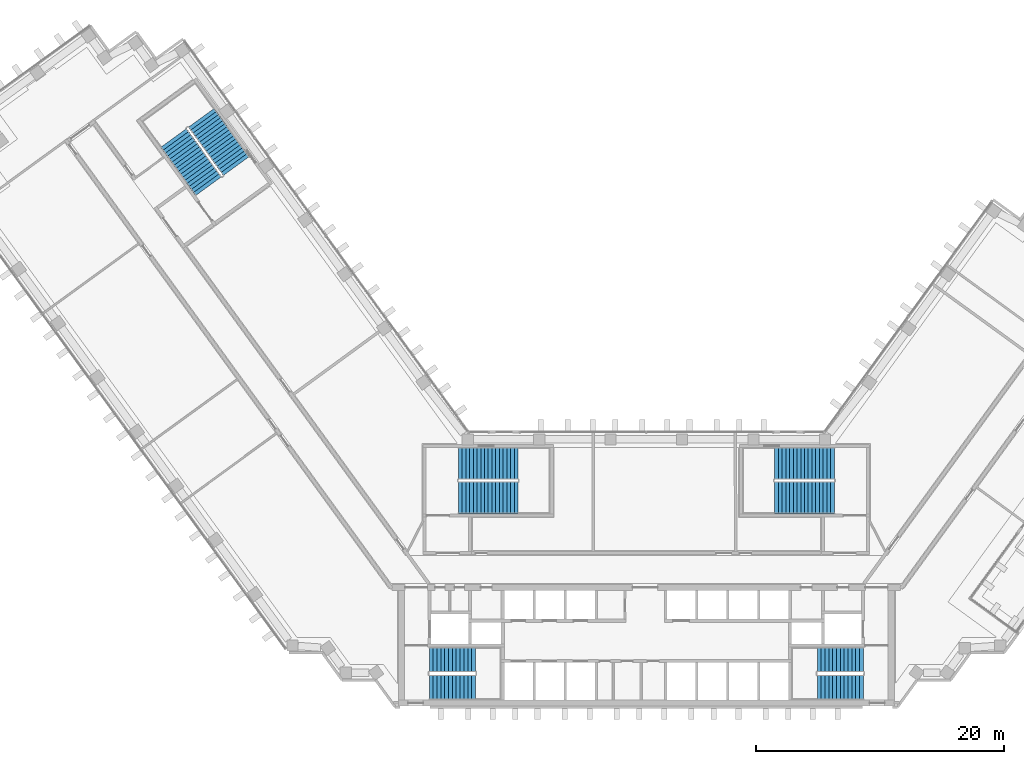
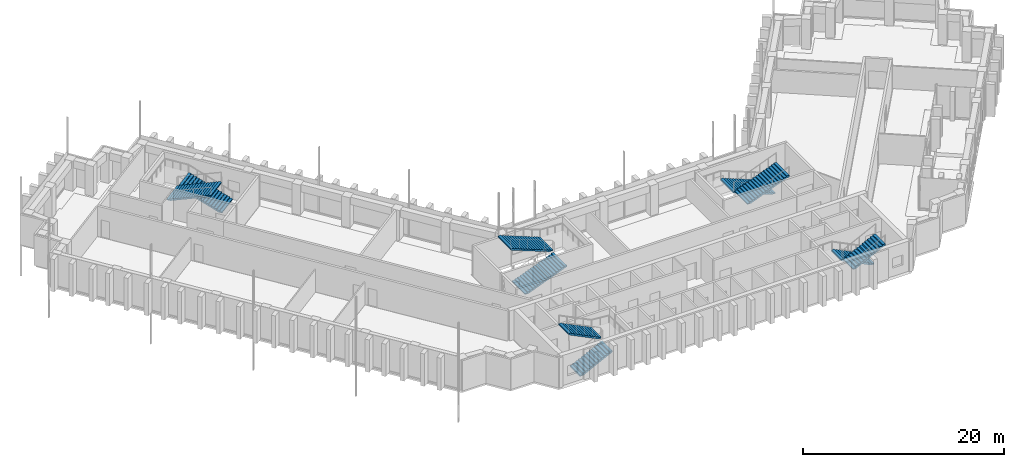
# One storey, part 14 of 17: 10 stair flights, 5 elements without a shape of their own.
"""IFC4 building model written with IfcOpenShell, lengths in metres."""

import ifcopenshell
import ifcopenshell.guid

model = None  # the IFC model being written
_history = None  # IfcOwnerHistory: only IFC2X3 demands one
_inside = {}  # id of a spatial element -> (the spatial element, [elements in it])
_under = {}  # id of a project, library or spatial element -> (it, [spatial elements below it])
_declared = {}  # id of a project -> (the project, [libraries it declares])
_typed = {}  # id of a type object -> (the type object, [elements of that type])
_made_of = {}  # id of a material, layer set ... -> (it, [elements and type objects made of it])


def new_model(schema):
    """Start an empty IFC model of exactly this schema.

    Asked for "IFC4X3", IfcOpenShell would pick the latest addendum, in which some entities
    have other attributes; the version numbers below select the first issue.
    IFC2X3 requires an IfcOwnerHistory on every rooted entity: one is made here for all.
    """
    global model, _history
    if schema == "IFC4X3":
        model = ifcopenshell.file(schema_version=(4, 3, 0, 0))
    else:
        model = ifcopenshell.file(schema=schema)
    _inside.clear()
    _under.clear()
    _declared.clear()
    _typed.clear()
    _made_of.clear()
    _history = None
    if model.schema == "IFC2X3":
        org = make("IfcOrganization", Name="unknown")
        user = make(
            "IfcPersonAndOrganization",
            ThePerson=make("IfcPerson", FamilyName="unknown"),
            TheOrganization=org,
        )
        app = make(
            "IfcApplication",
            ApplicationDeveloper=org,
            Version="unknown",
            ApplicationFullName="unknown",
            ApplicationIdentifier="unknown",
        )
        _history = make(
            "IfcOwnerHistory",
            OwningUser=user,
            OwningApplication=app,
            ChangeAction="ADDED",
            CreationDate=0,
        )
    return model


def make(cls, **values):
    """One entity of the class cls with the attributes given. An attribute that is None is left unset."""
    return model.create_entity(
        cls, **{name: value for name, value in values.items() if value is not None}
    )


def rooted(cls, **values):
    """An entity with a GlobalId (a new one), such as an element, a storey or a relation."""
    return make(cls, GlobalId=ifcopenshell.guid.new(), OwnerHistory=_history, **values)


def si_unit(unit_type, name, prefix=None):
    """IfcSIUnit, for example si_unit("LENGTHUNIT", "METRE", prefix="MILLI")."""
    return make("IfcSIUnit", UnitType=unit_type, Prefix=prefix, Name=name)


def assignment(units):
    """IfcUnitAssignment: the units of a project."""
    return None if units is None else make("IfcUnitAssignment", Units=units)


def point(xyz):
    """IfcCartesianPoint."""
    return None if xyz is None else make("IfcCartesianPoint", Coordinates=xyz)


def direction(xyz):
    """IfcDirection."""
    return None if xyz is None else make("IfcDirection", DirectionRatios=xyz)


def frame(location, z_axis=None, x_axis=None):
    """IfcAxis2Placement3D, a coordinate frame: its origin and axes. An axis left out is left unset."""
    return make(
        "IfcAxis2Placement3D",
        Location=point(location),
        Axis=direction(z_axis),
        RefDirection=direction(x_axis),
    )


def origin():
    """The frame at (0, 0, 0) with its axes left unset."""
    return frame((0.0, 0.0, 0.0))


def place(relative_to, where):
    """IfcLocalPlacement: puts the frame where relative to a parent placement (None: the world)."""
    return make(
        "IfcLocalPlacement", PlacementRelTo=relative_to, RelativePlacement=where
    )


def context(
    kind, dimensions, precision=None, world=None, true_north=None, identifier=None
):
    """IfcGeometricRepresentationContext, for example the 3D "Model" context."""
    return make(
        "IfcGeometricRepresentationContext",
        ContextIdentifier=identifier,
        ContextType=kind,
        CoordinateSpaceDimension=dimensions,
        Precision=precision,
        WorldCoordinateSystem=world,
        TrueNorth=true_north,
    )


def subcontext(parent, identifier, kind, view, scale=None):
    """IfcGeometricRepresentationSubContext, for example "Body" below "Model"."""
    return make(
        "IfcGeometricRepresentationSubContext",
        ContextIdentifier=identifier,
        ContextType=kind,
        ParentContext=parent,
        TargetScale=scale,
        TargetView=view,
    )


def project(units=None, contexts=None):
    """IfcProject with its units and contexts."""
    return rooted(
        "IfcProject",
        Name="project",
        RepresentationContexts=contexts,
        UnitsInContext=assignment(units),
    )


def spatial(cls, under=None, at=None, **own):
    """A site, building, storey or space (cls), placed at a placement, below another one or the project."""
    s = rooted(cls, ObjectPlacement=at, **own)
    if under is not None:
        _under.setdefault(under.id(), (under, []))[1].append(s)
    return s


def polyline(points):
    """IfcPolyline through the points."""
    return make("IfcPolyline", Points=[point(p) for p in points])


def outline(outer, holes=None, kind="AREA"):
    """IfcArbitraryClosedProfileDef: a profile drawn as a closed curve; with holes, ...WithVoids."""
    if holes is None:
        return make("IfcArbitraryClosedProfileDef", ProfileType=kind, OuterCurve=outer)
    return make(
        "IfcArbitraryProfileDefWithVoids",
        ProfileType=kind,
        OuterCurve=outer,
        InnerCurves=holes,
    )


def extrude(swept, where, along, depth):
    """IfcExtrudedAreaSolid: the profile swept, set in the frame where, extruded along a direction by depth."""
    return make(
        "IfcExtrudedAreaSolid",
        SweptArea=swept,
        Position=where,
        ExtrudedDirection=direction(along),
        Depth=depth,
    )


def shape(context_of_items, identifier, shape_type, items):
    """IfcShapeRepresentation: the items that make up one representation, for example the "Body"."""
    return make(
        "IfcShapeRepresentation",
        ContextOfItems=context_of_items,
        RepresentationIdentifier=identifier,
        RepresentationType=shape_type,
        Items=items,
    )


def material(Name=None, Category=None):
    """IfcMaterial."""
    return make("IfcMaterial", Name=Name, Category=Category)


def made_of(thing, what):
    """Note that an element or type object is made of a material, layer set ...; save() writes the relation."""
    if what is not None:
        _made_of.setdefault(what.id(), (what, []))[1].append(thing)
    return thing


def type_object(cls, material=None, **own):
    """A type object (cls), such as IfcWallType, which elements share."""
    return made_of(rooted(cls, **own), material)


def element(
    cls,
    number,
    at=None,
    inside=None,
    cuts=None,
    type_object=None,
    material=None,
    context=None,
    identifier="Body",
    shape_type=None,
    held_by="IfcProductDefinitionShape",
    body=None,
    shapes=None,
    **own,
):
    """One element of the class cls, such as IfcWall. Its Tag is "e" and its number.

    at: its placement. inside: the storey or other place that contains it. cuts: it is an
    opening in that element (IfcRelVoidsElement). A single representation is given by context,
    identifier, shape_type and body (its items); several are given by shapes. held_by: the class
    of the entity that holds the representations. save() writes the other relations.
    """
    e = rooted(cls, Tag="e%d" % number, ObjectPlacement=at, **own)
    if body is not None:
        shapes = [shape(context, identifier, shape_type, body)]
    if shapes is not None:
        e.Representation = make(held_by, Representations=shapes)
    if inside is not None:
        _inside.setdefault(inside.id(), (inside, []))[1].append(e)
    if cuts is not None:
        rooted(
            "IfcRelVoidsElement", RelatingBuildingElement=cuts, RelatedOpeningElement=e
        )
    if type_object is not None:
        _typed.setdefault(type_object.id(), (type_object, []))[1].append(e)
    return made_of(e, material)


def aggregate(whole, parts):
    """IfcRelAggregates: a whole, such as a stair, and the parts it consists of."""
    return rooted("IfcRelAggregates", RelatingObject=whole, RelatedObjects=parts)


def save(model, path):
    """Write the relations noted so far, then the file.

    IfcRelAggregates (storeys below a building ...), IfcRelContainedInSpatialStructure (elements
    in a storey), IfcRelDefinesByType, IfcRelAssociatesMaterial and IfcRelDeclares: one each for
    every whole, place, type object, material and project.
    """
    for whole, parts in _under.values():
        aggregate(whole, parts)
    for where, things in _inside.values():
        rooted(
            "IfcRelContainedInSpatialStructure",
            RelatedElements=things,
            RelatingStructure=where,
        )
    for kind, things in _typed.values():
        rooted("IfcRelDefinesByType", RelatedObjects=things, RelatingType=kind)
    for what, things in _made_of.values():
        rooted("IfcRelAssociatesMaterial", RelatedObjects=things, RelatingMaterial=what)
    for by, libraries in _declared.values():
        rooted("IfcRelDeclares", RelatingContext=by, RelatedDefinitions=libraries)
    model.write(path)


model = new_model("IFC4")

# Units and contexts
model_context = context("Model", 3, precision=1e-05, world=origin(), true_north=direction((0.0, 1.0)))
body_context = subcontext(model_context, "Body", "Model", "MODEL_VIEW")
ifc_project = project(units=[si_unit("LENGTHUNIT", "METRE"), si_unit("AREAUNIT", "SQUARE_METRE"), si_unit("VOLUMEUNIT", "CUBIC_METRE"), si_unit("PLANEANGLEUNIT", "RADIAN"), si_unit("MASSUNIT", "GRAM", prefix="KILO")], contexts=[model_context])

# Site, building, storey
site_placement = place(None, origin())
site = spatial("IfcSite", under=ifc_project, at=site_placement, CompositionType="ELEMENT")
building_placement = place(site_placement, origin())
building = spatial("IfcBuilding", under=site, at=building_placement, Name="Quipu Civic Tower", CompositionType="ELEMENT")
storey_placement = place(building_placement, frame((0.0, 0.0, 101.0)))
storey = spatial("IfcBuildingStorey", under=building, at=storey_placement, Name="L23", CompositionType="ELEMENT", Elevation=101.0)

# Stair, stair flights
ifc_material_1 = material(Name="Concrete C40/50", Category="concrete")
stair_type_1 = type_object("IfcStairType", Name="Half turn stair 2000", PredefinedType="HALF_TURN_STAIR", material=ifc_material_1)
stair_1_placement = place(storey_placement, origin())
stair_1 = element("IfcStair", 1, at=stair_1_placement, inside=storey, type_object=stair_type_1, Name="Exit stair 1", PredefinedType="HALF_TURN_STAIR")
ifc_material_2 = material(Name="Concrete C40/50", Category="concrete")
stair_flight_type_1 = type_object("IfcStairFlightType", Name="Stair flight 2000", PredefinedType="STRAIGHT", material=ifc_material_2)
stair_flight_1_placement = place(storey_placement, frame((-17.5, -9.5, 0.0), z_axis=(0.0, 0.0, 1.0), x_axis=(1.0, 0.0, 0.0)))
stair_flight_1 = element("IfcStairFlight", 2, at=stair_flight_1_placement, type_object=stair_flight_type_1, Name="ST-1 flight 1", NumberOfRisers=13, NumberOfTreads=12, PredefinedType="STRAIGHT", RiserHeight=0.153846154, TreadLength=0.31, context=body_context, shape_type="SweptSolid", body=[
    extrude(outline(polyline([(0.0, 0.0), (0.0, 0.15380859375), (0.31005859375, 0.15380859375), (0.31005859375, 0.3076171875), (0.6201171875, 0.3076171875), (0.6201171875, 0.46142578125), (0.929931640625, 0.46142578125), (0.929931640625, 0.615478515625), (1.239990234375, 0.615478515625), (1.239990234375, 0.769287109375), (1.550048828125, 0.769287109375), (1.550048828125, 0.923095703125), (1.860107421875, 0.923095703125), (1.860107421875, 1.076904296875), (2.169921875, 1.076904296875), (2.169921875, 1.230712890625), (2.47998046875, 1.230712890625), (2.47998046875, 1.384521484375), (2.7900390625, 1.384521484375), (2.7900390625, 1.53857421875), (3.10009765625, 1.53857421875), (3.10009765625, 1.6923828125), (3.409912109375, 1.6923828125), (3.409912109375, 1.84619140625), (3.719970703125, 1.84619140625), (3.719970703125, 2.0), (3.719970703125, 1.6787109375), (0.337158203125, 0.0), (0.0, 0.0)])), frame((0.0, 1.0, 0.0), z_axis=(0.0, -1.0, 0.0), x_axis=(1.0, 0.0, 0.0)), (0.0, 0.0, 1.0), 2.0),
])
stair_flight_2_placement = place(storey_placement, frame((-13.780029296875, -7.25, 2.0), z_axis=(0.0, 0.0, 1.0), x_axis=(-1.0, 0.0, 0.0)))
stair_flight_2 = element("IfcStairFlight", 3, at=stair_flight_2_placement, type_object=stair_flight_type_1, Name="ST-1 flight 2", NumberOfRisers=13, NumberOfTreads=12, PredefinedType="STRAIGHT", RiserHeight=0.153846154, TreadLength=0.31, context=body_context, shape_type="SweptSolid", body=[
    extrude(outline(polyline([(0.0, 0.0), (0.0, 0.15380859375), (0.31005859375, 0.15380859375), (0.31005859375, 0.3076171875), (0.6201171875, 0.3076171875), (0.6201171875, 0.46142578125), (0.929931640625, 0.46142578125), (0.929931640625, 0.615478515625), (1.239990234375, 0.615478515625), (1.239990234375, 0.769287109375), (1.550048828125, 0.769287109375), (1.550048828125, 0.923095703125), (1.860107421875, 0.923095703125), (1.860107421875, 1.076904296875), (2.169921875, 1.076904296875), (2.169921875, 1.230712890625), (2.47998046875, 1.230712890625), (2.47998046875, 1.384521484375), (2.7900390625, 1.384521484375), (2.7900390625, 1.53857421875), (3.10009765625, 1.53857421875), (3.10009765625, 1.6923828125), (3.409912109375, 1.6923828125), (3.409912109375, 1.84619140625), (3.719970703125, 1.84619140625), (3.719970703125, 2.0), (3.719970703125, 1.6787109375), (0.337158203125, 0.0), (0.0, 0.0)])), frame((0.0, 1.0, 0.0), z_axis=(0.0, -1.0, 0.0), x_axis=(1.0, 0.0, 0.0)), (0.0, 0.0, 1.0), 2.0),
])
aggregate(stair_1, [stair_flight_1, stair_flight_2])

stair_2_placement = place(storey_placement, origin())
stair_2 = element("IfcStair", 4, at=stair_2_placement, inside=storey, type_object=stair_type_1, Name="Exit stair 2", PredefinedType="HALF_TURN_STAIR")
stair_flight_3_placement = place(storey_placement, frame((17.5, -7.25, 0.0), z_axis=(0.0, 0.0, 1.0), x_axis=(-1.0, 0.0, 0.0)))
stair_flight_3 = element("IfcStairFlight", 5, at=stair_flight_3_placement, type_object=stair_flight_type_1, Name="ST-2 flight 1", NumberOfRisers=13, NumberOfTreads=12, PredefinedType="STRAIGHT", RiserHeight=0.153846154, TreadLength=0.31, context=body_context, shape_type="SweptSolid", body=[
    extrude(outline(polyline([(0.0, 0.0), (0.0, 0.15380859375), (0.31005859375, 0.15380859375), (0.31005859375, 0.3076171875), (0.6201171875, 0.3076171875), (0.6201171875, 0.46142578125), (0.929931640625, 0.46142578125), (0.929931640625, 0.615478515625), (1.239990234375, 0.615478515625), (1.239990234375, 0.769287109375), (1.550048828125, 0.769287109375), (1.550048828125, 0.923095703125), (1.860107421875, 0.923095703125), (1.860107421875, 1.076904296875), (2.169921875, 1.076904296875), (2.169921875, 1.230712890625), (2.47998046875, 1.230712890625), (2.47998046875, 1.384521484375), (2.7900390625, 1.384521484375), (2.7900390625, 1.53857421875), (3.10009765625, 1.53857421875), (3.10009765625, 1.6923828125), (3.409912109375, 1.6923828125), (3.409912109375, 1.84619140625), (3.719970703125, 1.84619140625), (3.719970703125, 2.0), (3.719970703125, 1.6787109375), (0.337158203125, 0.0), (0.0, 0.0)])), frame((0.0, 1.0, 0.0), z_axis=(0.0, -1.0, 0.0), x_axis=(1.0, 0.0, 0.0)), (0.0, 0.0, 1.0), 2.0),
])
stair_flight_4_placement = place(storey_placement, frame((13.780029296875, -9.5, 2.0), z_axis=(0.0, 0.0, 1.0), x_axis=(1.0, 0.0, 0.0)))
stair_flight_4 = element("IfcStairFlight", 6, at=stair_flight_4_placement, type_object=stair_flight_type_1, Name="ST-2 flight 2", NumberOfRisers=13, NumberOfTreads=12, PredefinedType="STRAIGHT", RiserHeight=0.153846154, TreadLength=0.31, context=body_context, shape_type="SweptSolid", body=[
    extrude(outline(polyline([(0.0, 0.0), (0.0, 0.15380859375), (0.31005859375, 0.15380859375), (0.31005859375, 0.3076171875), (0.6201171875, 0.3076171875), (0.6201171875, 0.46142578125), (0.929931640625, 0.46142578125), (0.929931640625, 0.615478515625), (1.239990234375, 0.615478515625), (1.239990234375, 0.769287109375), (1.550048828125, 0.769287109375), (1.550048828125, 0.923095703125), (1.860107421875, 0.923095703125), (1.860107421875, 1.076904296875), (2.169921875, 1.076904296875), (2.169921875, 1.230712890625), (2.47998046875, 1.230712890625), (2.47998046875, 1.384521484375), (2.7900390625, 1.384521484375), (2.7900390625, 1.53857421875), (3.10009765625, 1.53857421875), (3.10009765625, 1.6923828125), (3.409912109375, 1.6923828125), (3.409912109375, 1.84619140625), (3.719970703125, 1.84619140625), (3.719970703125, 2.0), (3.719970703125, 1.6787109375), (0.337158203125, 0.0), (0.0, 0.0)])), frame((0.0, 1.0, 0.0), z_axis=(0.0, -1.0, 0.0), x_axis=(1.0, 0.0, 0.0)), (0.0, 0.0, 1.0), 2.0),
])
aggregate(stair_2, [stair_flight_3, stair_flight_4])

ifc_material_3 = material(Name="Concrete C40/50", Category="concrete")
stair_type_2 = type_object("IfcStairType", Name="Half turn stair 2600", PredefinedType="HALF_TURN_STAIR", material=ifc_material_3)
stair_3_placement = place(storey_placement, origin())
stair_3 = element("IfcStair", 7, at=stair_3_placement, inside=storey, type_object=stair_type_2, Name="Exit stair 3", PredefinedType="HALF_TURN_STAIR")
ifc_material_4 = material(Name="Concrete C40/50", Category="concrete")
stair_flight_type_2 = type_object("IfcStairFlightType", Name="Stair flight 2600", PredefinedType="STRAIGHT", material=ifc_material_4)
stair_flight_5_placement = place(storey_placement, frame((-15.14990234375, 5.800048828125, 0.0), z_axis=(0.0, 0.0, 1.0), x_axis=(1.0, 0.0, 0.0)))
stair_flight_5 = element("IfcStairFlight", 8, at=stair_flight_5_placement, type_object=stair_flight_type_2, Name="ST-3 flight 1", NumberOfRisers=17, NumberOfTreads=16, PredefinedType="STRAIGHT", RiserHeight=0.117647059, TreadLength=0.3, context=body_context, shape_type="SweptSolid", body=[
    extrude(outline(polyline([(0.0, 0.0), (0.0, 0.11767578125), (0.300048828125, 0.11767578125), (0.300048828125, 0.2353515625), (0.60009765625, 0.2353515625), (0.60009765625, 0.35302734375), (0.89990234375, 0.35302734375), (0.89990234375, 0.470703125), (1.199951171875, 0.470703125), (1.199951171875, 0.588134765625), (1.5, 0.588134765625), (1.5, 0.705810546875), (1.800048828125, 0.705810546875), (1.800048828125, 0.823486328125), (2.10009765625, 0.823486328125), (2.10009765625, 0.941162109375), (2.39990234375, 0.941162109375), (2.39990234375, 1.058837890625), (2.699951171875, 1.058837890625), (2.699951171875, 1.176513671875), (3.0, 1.176513671875), (3.0, 1.294189453125), (3.300048828125, 1.294189453125), (3.300048828125, 1.411865234375), (3.60009765625, 1.411865234375), (3.60009765625, 1.529296875), (3.89990234375, 1.529296875), (3.89990234375, 1.64697265625), (4.199951171875, 1.64697265625), (4.199951171875, 1.7646484375), (4.5, 1.7646484375), (4.5, 1.88232421875), (4.800048828125, 1.88232421875), (4.800048828125, 2.0), (4.800048828125, 1.721435546875), (0.41064453125, 0.0), (0.0, 0.0)])), frame((0.0, 1.300048828125, 0.0), z_axis=(0.0, -1.0, 0.0), x_axis=(1.0, 0.0, 0.0)), (0.0, 0.0, 1.0), 2.60009765625),
])
stair_flight_6_placement = place(storey_placement, frame((-10.35009765625, 8.550048828125, 2.0), z_axis=(0.0, 0.0, 1.0), x_axis=(-1.0, 0.0, 0.0)))
stair_flight_6 = element("IfcStairFlight", 9, at=stair_flight_6_placement, type_object=stair_flight_type_2, Name="ST-3 flight 2", NumberOfRisers=17, NumberOfTreads=16, PredefinedType="STRAIGHT", RiserHeight=0.117647059, TreadLength=0.3, context=body_context, shape_type="SweptSolid", body=[
    extrude(outline(polyline([(0.0, 0.0), (0.0, 0.11767578125), (0.300048828125, 0.11767578125), (0.300048828125, 0.2353515625), (0.60009765625, 0.2353515625), (0.60009765625, 0.35302734375), (0.89990234375, 0.35302734375), (0.89990234375, 0.470703125), (1.199951171875, 0.470703125), (1.199951171875, 0.588134765625), (1.5, 0.588134765625), (1.5, 0.705810546875), (1.800048828125, 0.705810546875), (1.800048828125, 0.823486328125), (2.10009765625, 0.823486328125), (2.10009765625, 0.941162109375), (2.39990234375, 0.941162109375), (2.39990234375, 1.058837890625), (2.699951171875, 1.058837890625), (2.699951171875, 1.176513671875), (3.0, 1.176513671875), (3.0, 1.294189453125), (3.300048828125, 1.294189453125), (3.300048828125, 1.411865234375), (3.60009765625, 1.411865234375), (3.60009765625, 1.529296875), (3.89990234375, 1.529296875), (3.89990234375, 1.64697265625), (4.199951171875, 1.64697265625), (4.199951171875, 1.7646484375), (4.5, 1.7646484375), (4.5, 1.88232421875), (4.800048828125, 1.88232421875), (4.800048828125, 2.0), (4.800048828125, 1.721435546875), (0.41064453125, 0.0), (0.0, 0.0)])), frame((0.0, 1.300048828125, 0.0), z_axis=(0.0, -1.0, 0.0), x_axis=(1.0, 0.0, 0.0)), (0.0, 0.0, 1.0), 2.60009765625),
])
aggregate(stair_3, [stair_flight_5, stair_flight_6])

stair_4_placement = place(storey_placement, origin())
stair_4 = element("IfcStair", 10, at=stair_4_placement, inside=storey, type_object=stair_type_2, Name="Exit stair 4", PredefinedType="HALF_TURN_STAIR")
stair_flight_7_placement = place(storey_placement, frame((15.14990234375, 8.550048828125, 0.0), z_axis=(0.0, 0.0, 1.0), x_axis=(-1.0, 0.0, 0.0)))
stair_flight_7 = element("IfcStairFlight", 11, at=stair_flight_7_placement, type_object=stair_flight_type_2, Name="ST-4 flight 1", NumberOfRisers=17, NumberOfTreads=16, PredefinedType="STRAIGHT", RiserHeight=0.117647059, TreadLength=0.3, context=body_context, shape_type="SweptSolid", body=[
    extrude(outline(polyline([(0.0, 0.0), (0.0, 0.11767578125), (0.300048828125, 0.11767578125), (0.300048828125, 0.2353515625), (0.60009765625, 0.2353515625), (0.60009765625, 0.35302734375), (0.89990234375, 0.35302734375), (0.89990234375, 0.470703125), (1.199951171875, 0.470703125), (1.199951171875, 0.588134765625), (1.5, 0.588134765625), (1.5, 0.705810546875), (1.800048828125, 0.705810546875), (1.800048828125, 0.823486328125), (2.10009765625, 0.823486328125), (2.10009765625, 0.941162109375), (2.39990234375, 0.941162109375), (2.39990234375, 1.058837890625), (2.699951171875, 1.058837890625), (2.699951171875, 1.176513671875), (3.0, 1.176513671875), (3.0, 1.294189453125), (3.300048828125, 1.294189453125), (3.300048828125, 1.411865234375), (3.60009765625, 1.411865234375), (3.60009765625, 1.529296875), (3.89990234375, 1.529296875), (3.89990234375, 1.64697265625), (4.199951171875, 1.64697265625), (4.199951171875, 1.7646484375), (4.5, 1.7646484375), (4.5, 1.88232421875), (4.800048828125, 1.88232421875), (4.800048828125, 2.0), (4.800048828125, 1.721435546875), (0.41064453125, 0.0), (0.0, 0.0)])), frame((0.0, 1.300048828125, 0.0), z_axis=(0.0, -1.0, 0.0), x_axis=(1.0, 0.0, 0.0)), (0.0, 0.0, 1.0), 2.60009765625),
])
stair_flight_8_placement = place(storey_placement, frame((10.35009765625, 5.800048828125, 2.0), z_axis=(0.0, 0.0, 1.0), x_axis=(1.0, 0.0, 0.0)))
stair_flight_8 = element("IfcStairFlight", 12, at=stair_flight_8_placement, type_object=stair_flight_type_2, Name="ST-4 flight 2", NumberOfRisers=17, NumberOfTreads=16, PredefinedType="STRAIGHT", RiserHeight=0.117647059, TreadLength=0.3, context=body_context, shape_type="SweptSolid", body=[
    extrude(outline(polyline([(0.0, 0.0), (0.0, 0.11767578125), (0.300048828125, 0.11767578125), (0.300048828125, 0.2353515625), (0.60009765625, 0.2353515625), (0.60009765625, 0.35302734375), (0.89990234375, 0.35302734375), (0.89990234375, 0.470703125), (1.199951171875, 0.470703125), (1.199951171875, 0.588134765625), (1.5, 0.588134765625), (1.5, 0.705810546875), (1.800048828125, 0.705810546875), (1.800048828125, 0.823486328125), (2.10009765625, 0.823486328125), (2.10009765625, 0.941162109375), (2.39990234375, 0.941162109375), (2.39990234375, 1.058837890625), (2.699951171875, 1.058837890625), (2.699951171875, 1.176513671875), (3.0, 1.176513671875), (3.0, 1.294189453125), (3.300048828125, 1.294189453125), (3.300048828125, 1.411865234375), (3.60009765625, 1.411865234375), (3.60009765625, 1.529296875), (3.89990234375, 1.529296875), (3.89990234375, 1.64697265625), (4.199951171875, 1.64697265625), (4.199951171875, 1.7646484375), (4.5, 1.7646484375), (4.5, 1.88232421875), (4.800048828125, 1.88232421875), (4.800048828125, 2.0), (4.800048828125, 1.721435546875), (0.41064453125, 0.0), (0.0, 0.0)])), frame((0.0, 1.300048828125, 0.0), z_axis=(0.0, -1.0, 0.0), x_axis=(1.0, 0.0, 0.0)), (0.0, 0.0, 1.0), 2.60009765625),
])
aggregate(stair_4, [stair_flight_7, stair_flight_8])

stair_5_placement = place(storey_placement, origin())
stair_5 = element("IfcStair", 13, at=stair_5_placement, inside=storey, type_object=stair_type_2, Name="Exit stair 6", PredefinedType="HALF_TURN_STAIR")
stair_flight_9_placement = place(storey_placement, frame((-33.067626953125, 32.5322265625, 0.0), z_axis=(0.0, 0.0, 1.0), x_axis=(-0.587785252292, 0.809016994375, 0.0)))
stair_flight_9 = element("IfcStairFlight", 14, at=stair_flight_9_placement, type_object=stair_flight_type_2, Name="ST-6 flight 1", NumberOfRisers=17, NumberOfTreads=16, PredefinedType="STRAIGHT", RiserHeight=0.117647059, TreadLength=0.3, context=body_context, shape_type="SweptSolid", body=[
    extrude(outline(polyline([(0.0, 0.0), (0.0, 0.11767578125), (0.300048828125, 0.11767578125), (0.300048828125, 0.2353515625), (0.60009765625, 0.2353515625), (0.60009765625, 0.35302734375), (0.89990234375, 0.35302734375), (0.89990234375, 0.470703125), (1.199951171875, 0.470703125), (1.199951171875, 0.588134765625), (1.5, 0.588134765625), (1.5, 0.705810546875), (1.800048828125, 0.705810546875), (1.800048828125, 0.823486328125), (2.10009765625, 0.823486328125), (2.10009765625, 0.941162109375), (2.39990234375, 0.941162109375), (2.39990234375, 1.058837890625), (2.699951171875, 1.058837890625), (2.699951171875, 1.176513671875), (3.0, 1.176513671875), (3.0, 1.294189453125), (3.300048828125, 1.294189453125), (3.300048828125, 1.411865234375), (3.60009765625, 1.411865234375), (3.60009765625, 1.529296875), (3.89990234375, 1.529296875), (3.89990234375, 1.64697265625), (4.199951171875, 1.64697265625), (4.199951171875, 1.7646484375), (4.5, 1.7646484375), (4.5, 1.88232421875), (4.800048828125, 1.88232421875), (4.800048828125, 2.0), (4.800048828125, 1.721435546875), (0.41064453125, 0.0), (0.0, 0.0)])), frame((0.0, 1.300048828125, 0.0), z_axis=(0.0, -1.0, 0.0), x_axis=(1.0, 0.0, 0.0)), (0.0, 0.0, 1.0), 2.60009765625),
])
stair_flight_10_placement = place(storey_placement, frame((-38.11376953125, 34.799072265625, 2.0), z_axis=(0.0, 0.0, 1.0), x_axis=(0.587785252292, -0.809016994375, 0.0)))
stair_flight_10 = element("IfcStairFlight", 15, at=stair_flight_10_placement, type_object=stair_flight_type_2, Name="ST-6 flight 2", NumberOfRisers=17, NumberOfTreads=16, PredefinedType="STRAIGHT", RiserHeight=0.117647059, TreadLength=0.3, context=body_context, shape_type="SweptSolid", body=[
    extrude(outline(polyline([(0.0, 0.0), (0.0, 0.11767578125), (0.300048828125, 0.11767578125), (0.300048828125, 0.2353515625), (0.60009765625, 0.2353515625), (0.60009765625, 0.35302734375), (0.89990234375, 0.35302734375), (0.89990234375, 0.470703125), (1.199951171875, 0.470703125), (1.199951171875, 0.588134765625), (1.5, 0.588134765625), (1.5, 0.705810546875), (1.800048828125, 0.705810546875), (1.800048828125, 0.823486328125), (2.10009765625, 0.823486328125), (2.10009765625, 0.941162109375), (2.39990234375, 0.941162109375), (2.39990234375, 1.058837890625), (2.699951171875, 1.058837890625), (2.699951171875, 1.176513671875), (3.0, 1.176513671875), (3.0, 1.294189453125), (3.300048828125, 1.294189453125), (3.300048828125, 1.411865234375), (3.60009765625, 1.411865234375), (3.60009765625, 1.529296875), (3.89990234375, 1.529296875), (3.89990234375, 1.64697265625), (4.199951171875, 1.64697265625), (4.199951171875, 1.7646484375), (4.5, 1.7646484375), (4.5, 1.88232421875), (4.800048828125, 1.88232421875), (4.800048828125, 2.0), (4.800048828125, 1.721435546875), (0.41064453125, 0.0), (0.0, 0.0)])), frame((0.0, 1.300048828125, 0.0), z_axis=(0.0, -1.0, 0.0), x_axis=(1.0, 0.0, 0.0)), (0.0, 0.0, 1.0), 2.60009765625),
])
aggregate(stair_5, [stair_flight_9, stair_flight_10])

save(model, "model.ifc")
